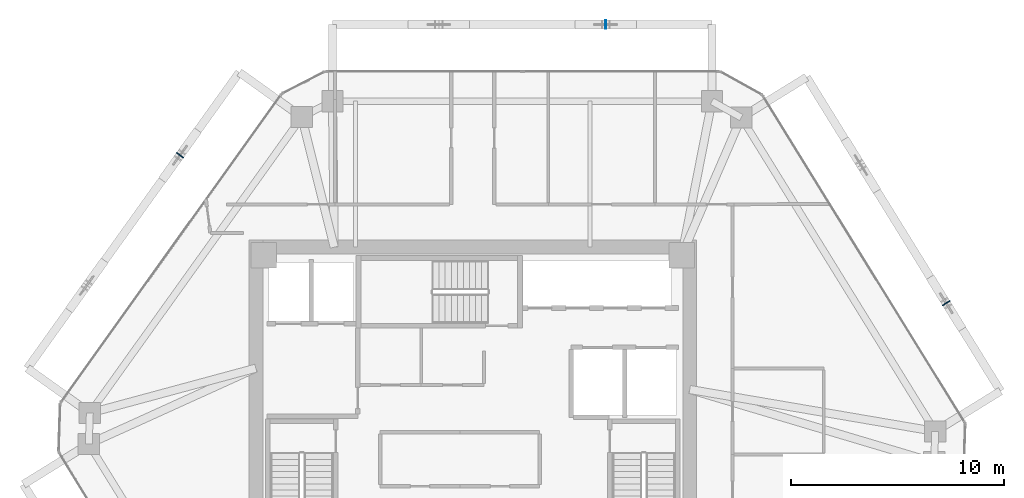
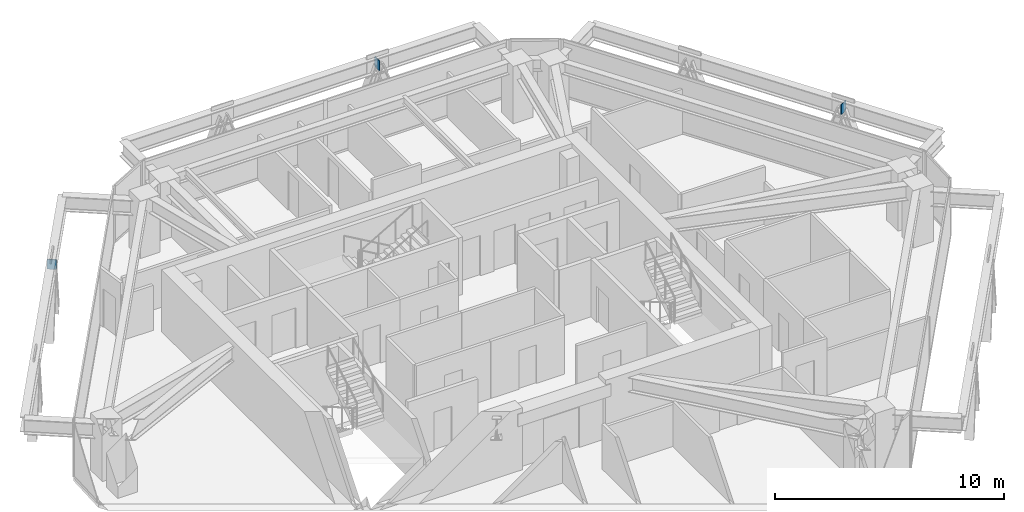
# One storey, part 9 of 14: 3 plates.
"""IFC4 building model written with IfcOpenShell, lengths in metres."""

import ifcopenshell
import ifcopenshell.guid

model = None  # the IFC model being written
_history = None  # IfcOwnerHistory: only IFC2X3 demands one
_inside = {}  # id of a spatial element -> (the spatial element, [elements in it])
_under = {}  # id of a project, library or spatial element -> (it, [spatial elements below it])
_declared = {}  # id of a project -> (the project, [libraries it declares])
_typed = {}  # id of a type object -> (the type object, [elements of that type])
_made_of = {}  # id of a material, layer set ... -> (it, [elements and type objects made of it])


def new_model(schema):
    """Start an empty IFC model of exactly this schema.

    Asked for "IFC4X3", IfcOpenShell would pick the latest addendum, in which some entities
    have other attributes; the version numbers below select the first issue.
    IFC2X3 requires an IfcOwnerHistory on every rooted entity: one is made here for all.
    """
    global model, _history
    if schema == "IFC4X3":
        model = ifcopenshell.file(schema_version=(4, 3, 0, 0))
    else:
        model = ifcopenshell.file(schema=schema)
    _inside.clear()
    _under.clear()
    _declared.clear()
    _typed.clear()
    _made_of.clear()
    _history = None
    if model.schema == "IFC2X3":
        org = make("IfcOrganization", Name="unknown")
        user = make(
            "IfcPersonAndOrganization",
            ThePerson=make("IfcPerson", FamilyName="unknown"),
            TheOrganization=org,
        )
        app = make(
            "IfcApplication",
            ApplicationDeveloper=org,
            Version="unknown",
            ApplicationFullName="unknown",
            ApplicationIdentifier="unknown",
        )
        _history = make(
            "IfcOwnerHistory",
            OwningUser=user,
            OwningApplication=app,
            ChangeAction="ADDED",
            CreationDate=0,
        )
    return model


def make(cls, **values):
    """One entity of the class cls with the attributes given. An attribute that is None is left unset."""
    return model.create_entity(
        cls, **{name: value for name, value in values.items() if value is not None}
    )


def rooted(cls, **values):
    """An entity with a GlobalId (a new one), such as an element, a storey or a relation."""
    return make(cls, GlobalId=ifcopenshell.guid.new(), OwnerHistory=_history, **values)


def si_unit(unit_type, name, prefix=None):
    """IfcSIUnit, for example si_unit("LENGTHUNIT", "METRE", prefix="MILLI")."""
    return make("IfcSIUnit", UnitType=unit_type, Prefix=prefix, Name=name)


def assignment(units):
    """IfcUnitAssignment: the units of a project."""
    return None if units is None else make("IfcUnitAssignment", Units=units)


def point(xyz):
    """IfcCartesianPoint."""
    return None if xyz is None else make("IfcCartesianPoint", Coordinates=xyz)


def direction(xyz):
    """IfcDirection."""
    return None if xyz is None else make("IfcDirection", DirectionRatios=xyz)


def frame(location, z_axis=None, x_axis=None):
    """IfcAxis2Placement3D, a coordinate frame: its origin and axes. An axis left out is left unset."""
    return make(
        "IfcAxis2Placement3D",
        Location=point(location),
        Axis=direction(z_axis),
        RefDirection=direction(x_axis),
    )


def frame_2d(location, x_axis=None):
    """IfcAxis2Placement2D, a coordinate frame in the plane: its origin and x axis."""
    return make(
        "IfcAxis2Placement2D", Location=point(location), RefDirection=direction(x_axis)
    )


def origin():
    """The frame at (0, 0, 0) with its axes left unset."""
    return frame((0.0, 0.0, 0.0))


def origin_2d():
    """The frame at (0, 0) in the plane with its x axis left unset."""
    return frame_2d((0.0, 0.0))


def place(relative_to, where):
    """IfcLocalPlacement: puts the frame where relative to a parent placement (None: the world)."""
    return make(
        "IfcLocalPlacement", PlacementRelTo=relative_to, RelativePlacement=where
    )


def context(
    kind, dimensions, precision=None, world=None, true_north=None, identifier=None
):
    """IfcGeometricRepresentationContext, for example the 3D "Model" context."""
    return make(
        "IfcGeometricRepresentationContext",
        ContextIdentifier=identifier,
        ContextType=kind,
        CoordinateSpaceDimension=dimensions,
        Precision=precision,
        WorldCoordinateSystem=world,
        TrueNorth=true_north,
    )


def subcontext(parent, identifier, kind, view, scale=None):
    """IfcGeometricRepresentationSubContext, for example "Body" below "Model"."""
    return make(
        "IfcGeometricRepresentationSubContext",
        ContextIdentifier=identifier,
        ContextType=kind,
        ParentContext=parent,
        TargetScale=scale,
        TargetView=view,
    )


def project(units=None, contexts=None):
    """IfcProject with its units and contexts."""
    return rooted(
        "IfcProject",
        Name="project",
        RepresentationContexts=contexts,
        UnitsInContext=assignment(units),
    )


def spatial(cls, under=None, at=None, **own):
    """A site, building, storey or space (cls), placed at a placement, below another one or the project."""
    s = rooted(cls, ObjectPlacement=at, **own)
    if under is not None:
        _under.setdefault(under.id(), (under, []))[1].append(s)
    return s


def profile(cls, at=None, kind="AREA", **sizes):
    """A parametric profile (cls). Its sizes go by their IFC names, for example OverallWidth=200.0."""
    return make(cls, ProfileType=kind, Position=at, **sizes)


def rectangle(**sizes):
    """IfcRectangleProfileDef."""
    return profile("IfcRectangleProfileDef", **sizes)


def extrude(swept, where, along, depth):
    """IfcExtrudedAreaSolid: the profile swept, set in the frame where, extruded along a direction by depth."""
    return make(
        "IfcExtrudedAreaSolid",
        SweptArea=swept,
        Position=where,
        ExtrudedDirection=direction(along),
        Depth=depth,
    )


def shape(context_of_items, identifier, shape_type, items):
    """IfcShapeRepresentation: the items that make up one representation, for example the "Body"."""
    return make(
        "IfcShapeRepresentation",
        ContextOfItems=context_of_items,
        RepresentationIdentifier=identifier,
        RepresentationType=shape_type,
        Items=items,
    )


def source(mapping_origin, context_of_items, identifier, shape_type, items):
    """IfcRepresentationMap: a shape defined once, which mapped items show again and again."""
    return make(
        "IfcRepresentationMap",
        MappingOrigin=mapping_origin,
        MappedRepresentation=shape(context_of_items, identifier, shape_type, items),
    )


def transform(
    local_origin,
    x_axis=None,
    y_axis=None,
    z_axis=None,
    scale=None,
    scale2=None,
    scale3=None,
    uniform=True,
):
    """IfcCartesianTransformationOperator3D, or its non-uniform kind. x_axis, y_axis, z_axis: its Axis1, 2, 3."""
    if uniform:
        return make(
            "IfcCartesianTransformationOperator3D",
            Axis1=direction(x_axis),
            Axis2=direction(y_axis),
            LocalOrigin=point(local_origin),
            Scale=scale,
            Axis3=direction(z_axis),
        )
    return make(
        "IfcCartesianTransformationOperator3DnonUniform",
        Axis1=direction(x_axis),
        Axis2=direction(y_axis),
        LocalOrigin=point(local_origin),
        Scale=scale,
        Axis3=direction(z_axis),
        Scale2=scale2,
        Scale3=scale3,
    )


def mapped(mapping_source, mapping_target):
    """IfcMappedItem: shows the shape of a source again, moved by a transform."""
    return make(
        "IfcMappedItem", MappingSource=mapping_source, MappingTarget=mapping_target
    )


def material(Name=None, Category=None):
    """IfcMaterial."""
    return make("IfcMaterial", Name=Name, Category=Category)


def layer(
    of_material, thickness, ventilated=None, Name=None, Category=None, Priority=None
):
    """IfcMaterialLayer: one layer of a wall or slab, of a material (None: an air gap)."""
    return make(
        "IfcMaterialLayer",
        Material=of_material,
        LayerThickness=thickness,
        IsVentilated=ventilated,
        Name=Name,
        Category=Category,
        Priority=Priority,
    )


def layer_set(layers, Name=None):
    """IfcMaterialLayerSet."""
    return make("IfcMaterialLayerSet", MaterialLayers=layers, LayerSetName=Name)


def made_of(thing, what):
    """Note that an element or type object is made of a material, layer set ...; save() writes the relation."""
    if what is not None:
        _made_of.setdefault(what.id(), (what, []))[1].append(thing)
    return thing


def type_object(cls, material=None, **own):
    """A type object (cls), such as IfcWallType, which elements share."""
    return made_of(rooted(cls, **own), material)


def type_shapes(of_type, sources):
    """Give a type object the sources (RepresentationMaps) that its elements show as mapped items."""
    of_type.RepresentationMaps = sources


def element(
    cls,
    number,
    at=None,
    inside=None,
    cuts=None,
    type_object=None,
    material=None,
    context=None,
    identifier="Body",
    shape_type=None,
    held_by="IfcProductDefinitionShape",
    body=None,
    shapes=None,
    **own,
):
    """One element of the class cls, such as IfcWall. Its Tag is "e" and its number.

    at: its placement. inside: the storey or other place that contains it. cuts: it is an
    opening in that element (IfcRelVoidsElement). A single representation is given by context,
    identifier, shape_type and body (its items); several are given by shapes. held_by: the class
    of the entity that holds the representations. save() writes the other relations.
    """
    e = rooted(cls, Tag="e%d" % number, ObjectPlacement=at, **own)
    if body is not None:
        shapes = [shape(context, identifier, shape_type, body)]
    if shapes is not None:
        e.Representation = make(held_by, Representations=shapes)
    if inside is not None:
        _inside.setdefault(inside.id(), (inside, []))[1].append(e)
    if cuts is not None:
        rooted(
            "IfcRelVoidsElement", RelatingBuildingElement=cuts, RelatedOpeningElement=e
        )
    if type_object is not None:
        _typed.setdefault(type_object.id(), (type_object, []))[1].append(e)
    return made_of(e, material)


def aggregate(whole, parts):
    """IfcRelAggregates: a whole, such as a stair, and the parts it consists of."""
    return rooted("IfcRelAggregates", RelatingObject=whole, RelatedObjects=parts)


def save(model, path):
    """Write the relations noted so far, then the file.

    IfcRelAggregates (storeys below a building ...), IfcRelContainedInSpatialStructure (elements
    in a storey), IfcRelDefinesByType, IfcRelAssociatesMaterial and IfcRelDeclares: one each for
    every whole, place, type object, material and project.
    """
    for whole, parts in _under.values():
        aggregate(whole, parts)
    for where, things in _inside.values():
        rooted(
            "IfcRelContainedInSpatialStructure",
            RelatedElements=things,
            RelatingStructure=where,
        )
    for kind, things in _typed.values():
        rooted("IfcRelDefinesByType", RelatedObjects=things, RelatingType=kind)
    for what, things in _made_of.values():
        rooted("IfcRelAssociatesMaterial", RelatedObjects=things, RelatingMaterial=what)
    for by, libraries in _declared.values():
        rooted("IfcRelDeclares", RelatingContext=by, RelatedDefinitions=libraries)
    model.write(path)


model = new_model("IFC4")

# Units and contexts
model_context = context("Model", 3, precision=1e-05, world=origin(), true_north=direction((0.0, 1.0)))
body_context = subcontext(model_context, "Body", "Model", "MODEL_VIEW")
ifc_project = project(units=[si_unit("LENGTHUNIT", "METRE"), si_unit("AREAUNIT", "SQUARE_METRE"), si_unit("VOLUMEUNIT", "CUBIC_METRE"), si_unit("PLANEANGLEUNIT", "RADIAN"), si_unit("MASSUNIT", "GRAM", prefix="KILO")], contexts=[model_context])

# Site, building, storey
site_placement = place(None, origin())
site = spatial("IfcSite", under=ifc_project, at=site_placement, CompositionType="ELEMENT")
building_placement = place(site_placement, origin())
building = spatial("IfcBuilding", under=site, at=building_placement, Name="Durnholm Broadcast Tower", CompositionType="ELEMENT")
storey_placement = place(building_placement, frame((0.0, 0.0, 173.800048828125)))
storey = spatial("IfcBuildingStorey", under=building, at=storey_placement, Name="L47", CompositionType="ELEMENT", Elevation=173.800048828125)

# Plates
ifc_material = material(Name="Steel ASTM A572 Grade 50", Category="steel")
ifc_layer = layer(ifc_material, 0.044921875)
ifc_layer_set = layer_set([ifc_layer], Name="Steel ASTM A572 Grade 50")
plate_type = type_object("IfcPlateType", Name="PLT-KN-STIF", PredefinedType="SHEET", material=ifc_layer_set)
shared_shape = source(origin(), body_context, "Body", "SweptSolid", [
    extrude(rectangle(XDim=0.044921875, YDim=0.419921875, at=origin_2d()), origin(), (0.0, 0.0, 1.0), 0.52001953125),
])
type_shapes(plate_type, [shared_shape])
for number, where, z_axis, x_axis, name in (
    (1, (22.202392578125, 5.546875, 2.048583984375), (0.0, 0.0, 1.0), (-0.525768608156, 0.850627633385, 0.0), "L47 welded diagrid node stiffener plate F3"),
    (2, (6.234619140625, 18.617919921875, 2.048583984375), (0.0, 0.0, 1.0), (-1.0, 0.0, 0.0), "L47 welded diagrid node stiffener plate F4"),
    (3, (-13.731689453125, 12.485595703125, 2.048583984375), (0.0, 0.0, 1.0), (-0.582122970157, -0.813100761047, 0.0), "L47 welded diagrid node stiffener plate F5"),
):
    element("IfcPlate", number, at=place(storey_placement, frame(where, z_axis=z_axis, x_axis=x_axis)), inside=storey, type_object=plate_type, Name=name, PredefinedType="SHEET", context=body_context, shape_type="MappedRepresentation", body=[
        mapped(shared_shape, transform((0.0, 0.0, 0.0), x_axis=(1.0, 0.0, 0.0), y_axis=(0.0, 1.0, 0.0), z_axis=(0.0, 0.0, 1.0), scale=1.0)),
    ])

save(model, "model.ifc")
